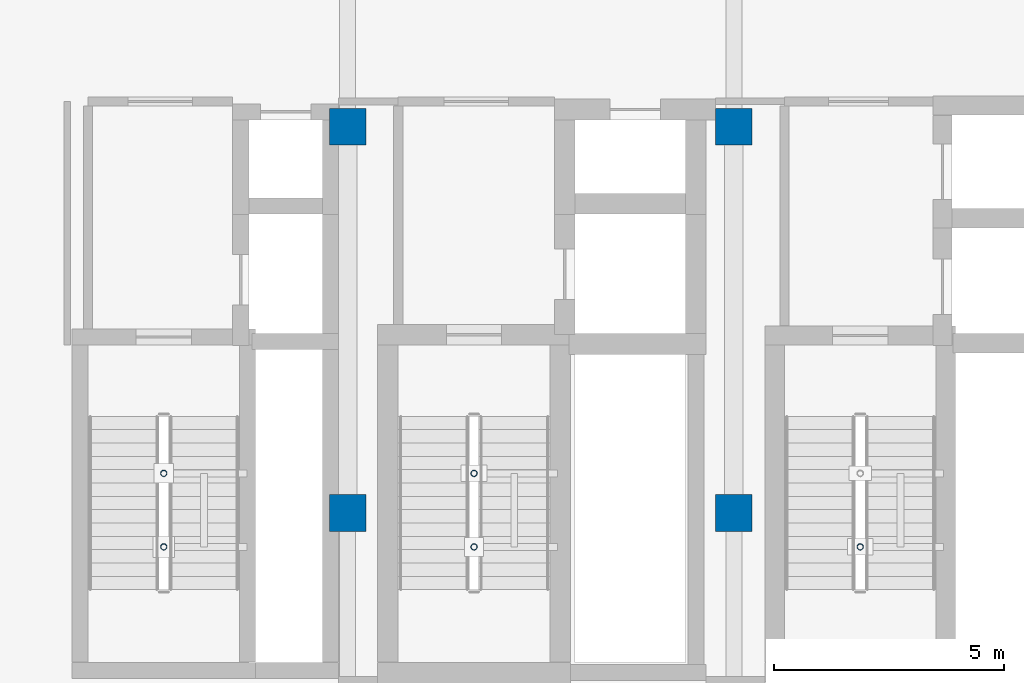
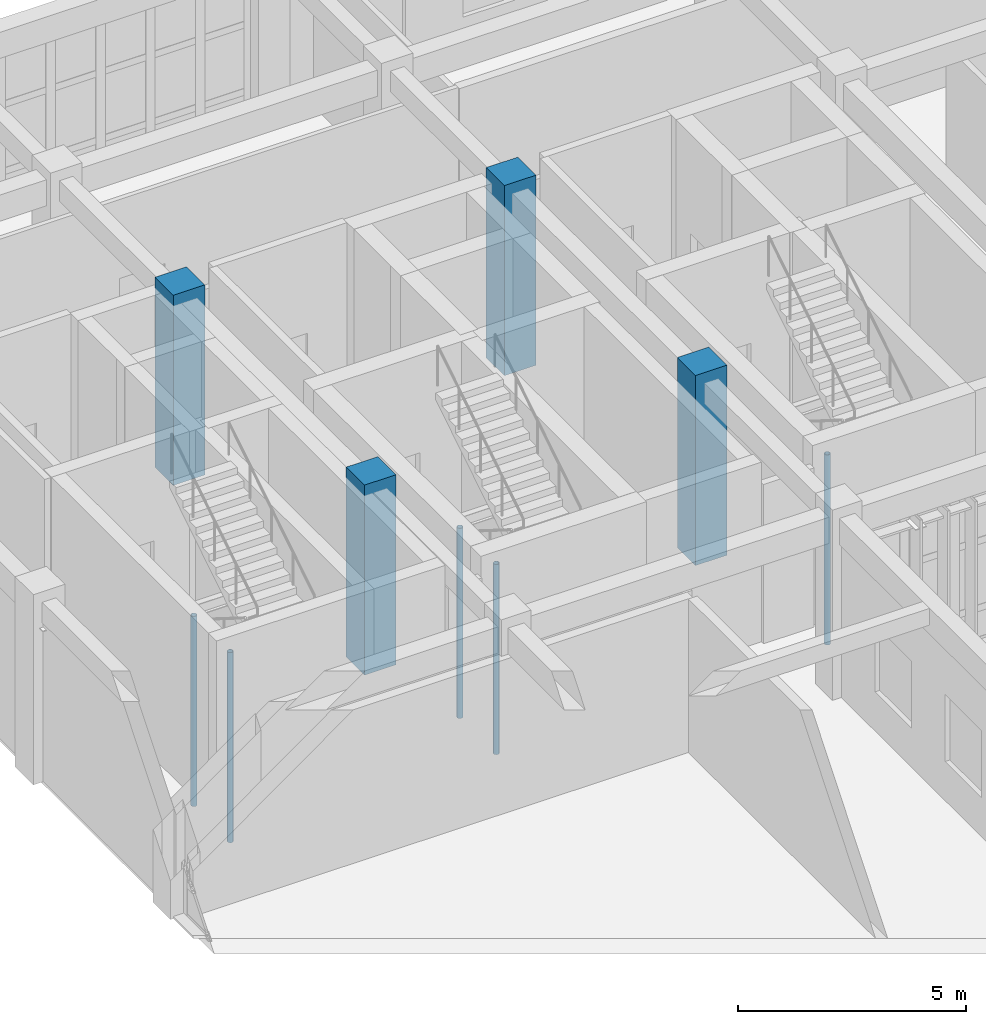
# One storey, part 12 of 93: 9 columns.
"""IFC4 building model written with IfcOpenShell, lengths in metres."""

from ifc_helpers import new_model, si_unit, direction, frame, origin, origin_2d, place, context, subcontext, project, spatial, rectangle, hollow_circle, extrude, material, material_profile, profile_set, type_object, element, save


model = new_model("IFC4")

# Units and contexts
model_context = context("Model", 3, precision=1e-05, world=origin(), true_north=direction((0.0, 1.0)))
body_context = subcontext(model_context, "Body", "Model", "MODEL_VIEW")
ifc_project = project(units=[si_unit("LENGTHUNIT", "METRE"), si_unit("AREAUNIT", "SQUARE_METRE"), si_unit("VOLUMEUNIT", "CUBIC_METRE"), si_unit("PLANEANGLEUNIT", "RADIAN"), si_unit("MASSUNIT", "GRAM", prefix="KILO")], contexts=[model_context])

# Site, building, storey
site_placement = place(None, origin())
site = spatial("IfcSite", under=ifc_project, at=site_placement, CompositionType="ELEMENT")
building_placement = place(site_placement, origin())
building = spatial("IfcBuilding", under=site, at=building_placement, Name="Krzemoval Escarpment Law Courts", CompositionType="ELEMENT")
storey_placement = place(building_placement, frame((0.0, 0.0, 10.199951171875)))
storey = spatial("IfcBuildingStorey", under=building, at=storey_placement, Name="L02", CompositionType="ELEMENT", Elevation=10.199951171875)

# Columns
ifc_material_1 = material(Name="Concrete C40/50", Category="concrete")
ifc_material_profile_1 = material_profile(ifc_material_1, rectangle(XDim=0.800048828125, YDim=0.800048828125, at=origin_2d()), Name="RC 800x800")
ifc_profile_set_1 = profile_set([ifc_material_profile_1], Name="Concrete C40/50")
column_type_1 = type_object("IfcColumnType", Name="COL-RC-800", PredefinedType="COLUMN", material=ifc_profile_set_1)
for number, where, z_axis, x_axis, name in (
    (1, (134.39990234375, 99.60009765625, 0.0), (0.0, 0.0, 1.0), (1.0, 0.0, 0.0), "Column FC-L02-0951"),
    (2, (134.39990234375, 108.0, 0.0), (0.0, 0.0, 1.0), (1.0, 0.0, 0.0), "Column FC-L02-0952"),
    (3, (142.800048828125, 99.60009765625, 0.0), (0.0, 0.0, 1.0), (1.0, 0.0, 0.0), "Column FC-L02-0964"),
    (4, (142.800048828125, 108.0, 0.0), (0.0, 0.0, 1.0), (1.0, 0.0, 0.0), "Column FC-L02-0965"),
):
    element("IfcColumn", number, at=place(storey_placement, frame(where, z_axis=z_axis, x_axis=x_axis)), inside=storey, type_object=column_type_1, Name=name, PredefinedType="COLUMN", context=body_context, shape_type="SweptSolid", body=[
        extrude(rectangle(XDim=0.800048828125, YDim=0.800048828125, at=origin_2d()), origin(), (0.0, 0.0, 1.0), 5.10009765625),
    ])
ifc_material_2 = material(Name="Steel S355", Category="steel")
ifc_material_profile_2 = material_profile(ifc_material_2, hollow_circle(Radius=0.06982421875, WallThickness=0.008056640625, at=origin_2d()), Name="CHS 139.7x8")
ifc_profile_set_2 = profile_set([ifc_material_profile_2], Name="Steel S355")
column_type_2 = type_object("IfcColumnType", Name="COL-S355-CHS140", PredefinedType="COLUMN", material=ifc_profile_set_2)
for number, where, z_axis, x_axis, name in (
    (5, (130.39990234375, 98.860107421875, -2.97998046875), (0.0, 0.0, 1.0), (1.0, 0.0, 0.0), "Stair Well Post SCP-C1-L02-1"),
    (6, (130.39990234375, 100.4599609375, -2.97998046875), (0.0, 0.0, 1.0), (1.0, 0.0, 0.0), "Stair Well Post SCP-C1-L02-2"),
    (7, (137.14990234375, 98.860107421875, -2.97998046875), (0.0, 0.0, 1.0), (1.0, 0.0, 0.0), "Stair Well Post SCP-C2-L02-1"),
    (8, (137.14990234375, 100.4599609375, -2.97998046875), (0.0, 0.0, 1.0), (1.0, 0.0, 0.0), "Stair Well Post SCP-C2-L02-2"),
    (9, (145.550048828125, 98.860107421875, -2.97998046875), (0.0, 0.0, 1.0), (1.0, 0.0, 0.0), "Stair Well Post SCP-C3-L02-1"),
):
    element("IfcColumn", number, at=place(storey_placement, frame(where, z_axis=z_axis, x_axis=x_axis)), inside=storey, type_object=column_type_2, Name=name, PredefinedType="COLUMN", context=body_context, shape_type="SweptSolid", body=[
        extrude(hollow_circle(Radius=0.06982421875, WallThickness=0.008056640625, at=origin_2d()), origin(), (0.0, 0.0, 1.0), 5.10009765625),
    ])

save(model, "model.ifc")
